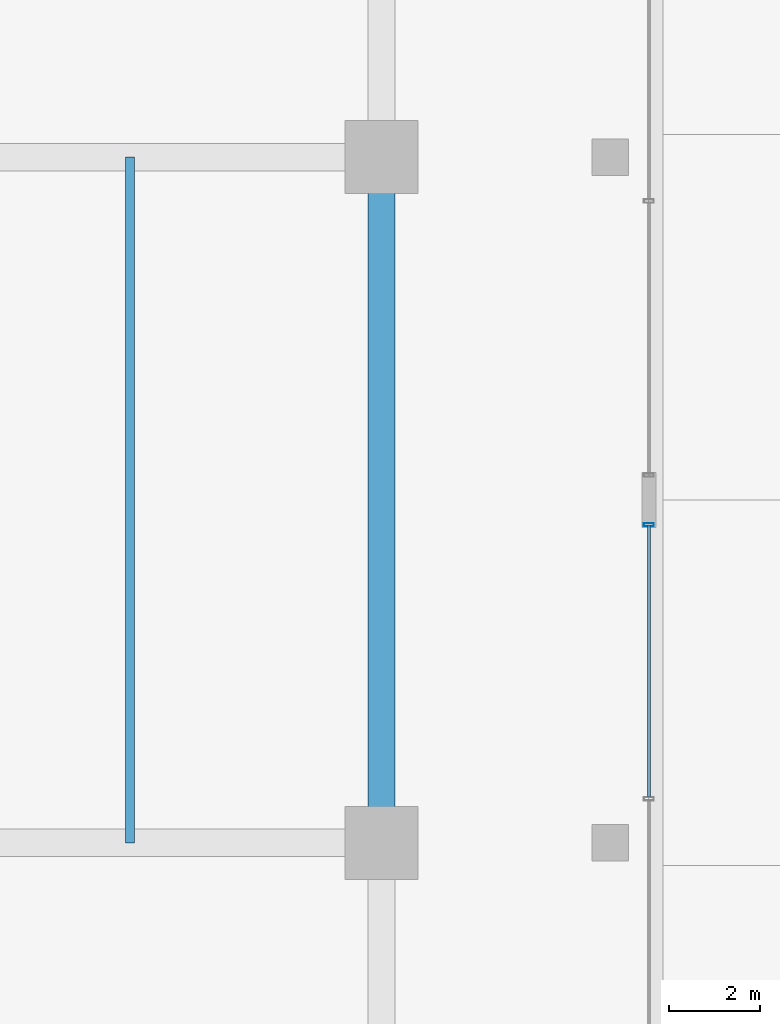
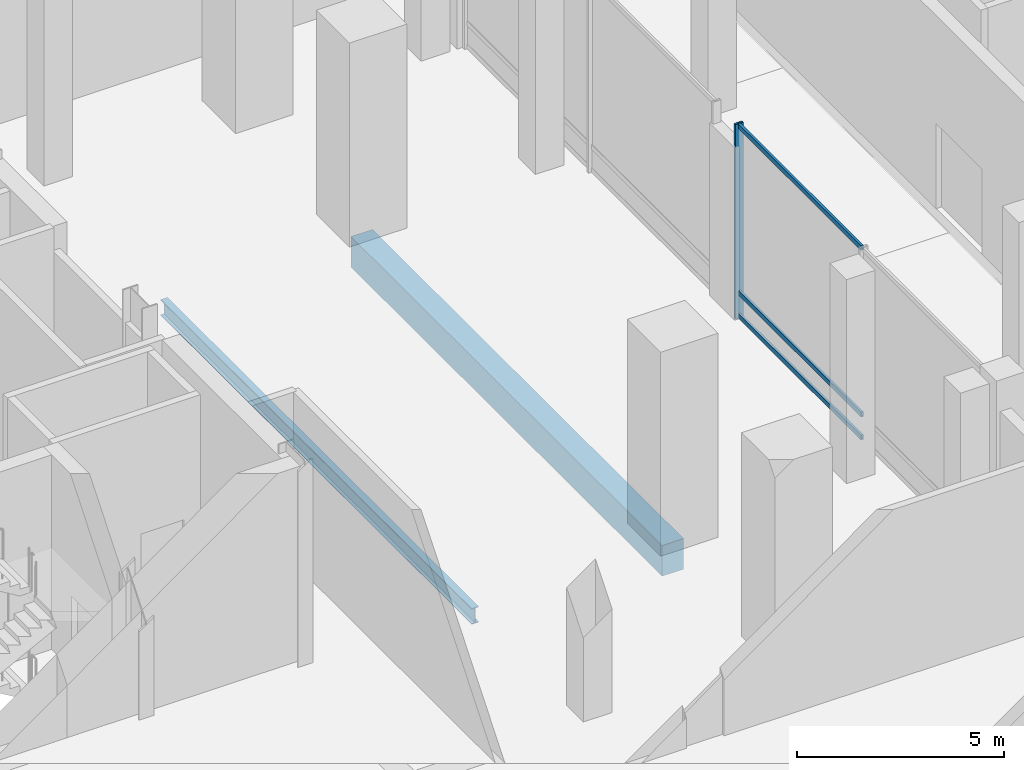
# One storey, part 10 of 34: 4 members, 2 beams, 1 element without a shape of its own.
"""IFC4 building model written with IfcOpenShell, lengths in metres."""

from ifc_helpers import new_model, si_unit, direction, frame, origin, origin_2d, place, context, subcontext, project, spatial, rectangle, hollow_rectangle, i_section, extrude, material, layer, layer_set, material_profile, profile_set, type_object, element, aggregate, save


model = new_model("IFC4")

# Units and contexts
model_context = context("Model", 3, precision=1e-05, world=origin(), true_north=direction((0.0, 1.0)))
body_context = subcontext(model_context, "Body", "Model", "MODEL_VIEW")
ifc_project = project(units=[si_unit("LENGTHUNIT", "METRE"), si_unit("AREAUNIT", "SQUARE_METRE"), si_unit("VOLUMEUNIT", "CUBIC_METRE"), si_unit("PLANEANGLEUNIT", "RADIAN"), si_unit("MASSUNIT", "GRAM", prefix="KILO")], contexts=[model_context])

# Site, building, storey
site_placement = place(None, origin())
site = spatial("IfcSite", under=ifc_project, at=site_placement, CompositionType="ELEMENT")
building_placement = place(site_placement, origin())
building = spatial("IfcBuilding", under=site, at=building_placement, Name="Barlavira Tower and Art Museum", CompositionType="ELEMENT")
storey_placement = place(building_placement, origin())
storey = spatial("IfcBuildingStorey", under=building, at=storey_placement, Name="L00", CompositionType="ELEMENT", Elevation=0.0)

# Curtain wall, members
ifc_material_1 = material(Name="Low-iron coastal laminated glass", Category="glass")
ifc_layer = layer(ifc_material_1, 0.219970703125, Name="Low-iron coastal laminated glass")
ifc_layer_set = layer_set([ifc_layer], Name="Low-iron coastal laminated glass")
curtain_wall_type = type_object("IfcCurtainWallType", Name="Double-Height Podium Arcade Storefront Curtain Wall", PredefinedType="NOTDEFINED", material=ifc_layer_set)
curtain_wall_placement = place(storey_placement, origin())
curtain_wall = element("IfcCurtainWall", 1, at=curtain_wall_placement, inside=storey, type_object=curtain_wall_type, Name="L00 Curtain Wall CW5-L00-ES", PredefinedType="NOTDEFINED")
ifc_material_2 = material(Name="Pale anodised aluminium", Category="aluminium")
ifc_material_profile_1 = material_profile(ifc_material_2, hollow_rectangle(XDim=0.074951171875, YDim=0.219970703125, WallThickness=0.0048828125, at=origin_2d()), Name="ALU-MULL 75x220x5")
ifc_profile_set_1 = profile_set([ifc_material_profile_1], Name="Pale anodised aluminium")
member_type_1 = type_object("IfcMemberType", Name="Curtain Wall Heavy Pale-Metal Mullion 75x220", PredefinedType="MULLION", material=ifc_profile_set_1)
member_1_placement = place(storey_placement, frame((22.85009765625, -0.544921875, 0.0), z_axis=(0.0, 0.0, 1.0), x_axis=(0.0, 1.0, 0.0)))
member_1 = element("IfcMember", 2, at=member_1_placement, type_object=member_type_1, Name="CW5-L00-ES Mullion 2", PredefinedType="MULLION", context=body_context, shape_type="SweptSolid", body=[
    extrude(hollow_rectangle(XDim=0.074951171875, YDim=0.219970703125, WallThickness=0.0048828125, at=origin_2d()), origin(), (0.0, 0.0, 1.0), 5.719970703125),
])
ifc_material_profile_2 = material_profile(ifc_material_2, hollow_rectangle(XDim=0.06494140625, YDim=0.139892578125, WallThickness=0.00390625, at=origin_2d()), Name="ALU-TRAN 65x140x4")
ifc_profile_set_2 = profile_set([ifc_material_profile_2], Name="Pale anodised aluminium")
member_type_2 = type_object("IfcMemberType", Name="Curtain Wall Pale-Metal Transom 65x140", PredefinedType="USERDEFINED", material=ifc_profile_set_2)
member_2_placement = place(storey_placement, frame((22.85009765625, -6.4951171875, 0.070068359375), z_axis=(0.0, 1.0, 0.0), x_axis=(-1.0, 0.0, 0.0)))
member_2 = element("IfcMember", 3, at=member_2_placement, type_object=member_type_2, Name="CW5-L00-ES Transom 1.1", ObjectType="TRANSOM", PredefinedType="USERDEFINED", context=body_context, shape_type="SweptSolid", body=[
    extrude(hollow_rectangle(XDim=0.06494140625, YDim=0.139892578125, WallThickness=0.00390625, at=origin_2d()), origin(), (0.0, 0.0, 1.0), 5.9501953125),
])
member_3_placement = place(storey_placement, frame((22.85009765625, -6.4951171875, 0.75), z_axis=(0.0, 1.0, 0.0), x_axis=(-1.0, 0.0, 0.0)))
member_3 = element("IfcMember", 4, at=member_3_placement, type_object=member_type_2, Name="CW5-L00-ES Transom 1.2", ObjectType="TRANSOM", PredefinedType="USERDEFINED", context=body_context, shape_type="SweptSolid", body=[
    extrude(hollow_rectangle(XDim=0.06494140625, YDim=0.139892578125, WallThickness=0.00390625, at=origin_2d()), origin(), (0.0, 0.0, 1.0), 5.9501953125),
])
member_4_placement = place(storey_placement, frame((22.85009765625, -6.4951171875, 5.64990234375), z_axis=(0.0, 1.0, 0.0), x_axis=(-1.0, 0.0, 0.0)))
member_4 = element("IfcMember", 5, at=member_4_placement, type_object=member_type_2, Name="CW5-L00-ES Transom 1.3", ObjectType="TRANSOM", PredefinedType="USERDEFINED", context=body_context, shape_type="SweptSolid", body=[
    extrude(hollow_rectangle(XDim=0.06494140625, YDim=0.139892578125, WallThickness=0.00390625, at=origin_2d()), origin(), (0.0, 0.0, 1.0), 5.9501953125),
])
aggregate(curtain_wall, [member_1, member_2, member_3, member_4])

# Beams
ifc_material_3 = material(Name="Steel S355", Category="steel")
ifc_material_profile_3 = material_profile(ifc_material_3, i_section(OverallWidth=0.19189453125, OverallDepth=0.462890625, WebThickness=0.010498046875, FlangeThickness=0.017578125, at=origin_2d()), Name="W460x89.0")
ifc_profile_set_3 = profile_set([ifc_material_profile_3], Name="Steel S355")
beam_type_1 = type_object("IfcBeamType", Name="Podium Floor Joist W460x89 Steel S355", PredefinedType="JOIST", material=ifc_profile_set_3)
beam_1_placement = place(storey_placement, frame((11.5, -7.5, -0.58154296875), z_axis=(0.0, 1.0, 0.0), x_axis=(-1.0, 0.0, 0.0)))
element("IfcBeam", 6, at=beam_1_placement, inside=storey, type_object=beam_type_1, Name="L00 Joist W2", PredefinedType="JOIST", context=body_context, shape_type="SweptSolid", body=[
    extrude(i_section(OverallWidth=0.19189453125, OverallDepth=0.462890625, WebThickness=0.010498046875, FlangeThickness=0.017578125, at=origin_2d()), origin(), (0.0, 0.0, 1.0), 15.0),
])
ifc_material_4 = material(Name="Concrete C50", Category="concrete")
ifc_material_profile_4 = material_profile(ifc_material_4, rectangle(XDim=0.60009765625, YDim=0.89990234375, at=origin_2d()), Name="RC-BM 600x900")
ifc_profile_set_4 = profile_set([ifc_material_profile_4], Name="Concrete C50")
beam_type_2 = type_object("IfcBeamType", Name="Substructure RC Girder 600x900 Concrete C50", PredefinedType="BEAM", material=ifc_profile_set_4)
beam_2_placement = place(storey_placement, frame((17.0, -7.5, -0.800048828125), z_axis=(0.0, 1.0, 0.0), x_axis=(-1.0, 0.0, 0.0)))
element("IfcBeam", 7, at=beam_2_placement, inside=storey, type_object=beam_type_2, Name="L00 Girder M-E2", PredefinedType="BEAM", context=body_context, shape_type="SweptSolid", body=[
    extrude(rectangle(XDim=0.60009765625, YDim=0.89990234375, at=origin_2d()), origin(), (0.0, 0.0, 1.0), 15.0),
])

save(model, "model.ifc")
